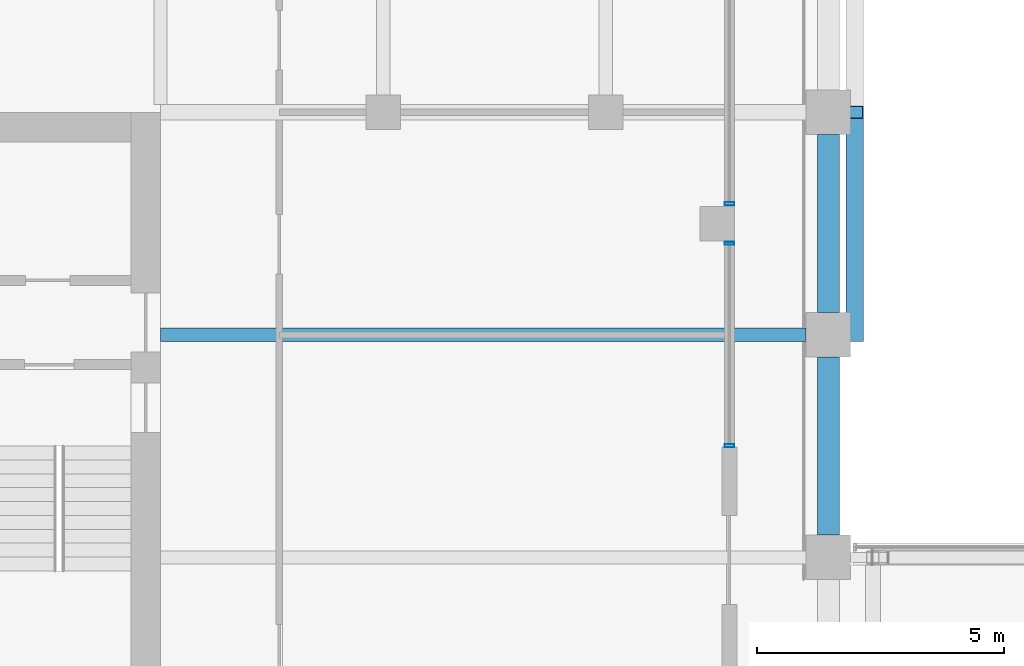
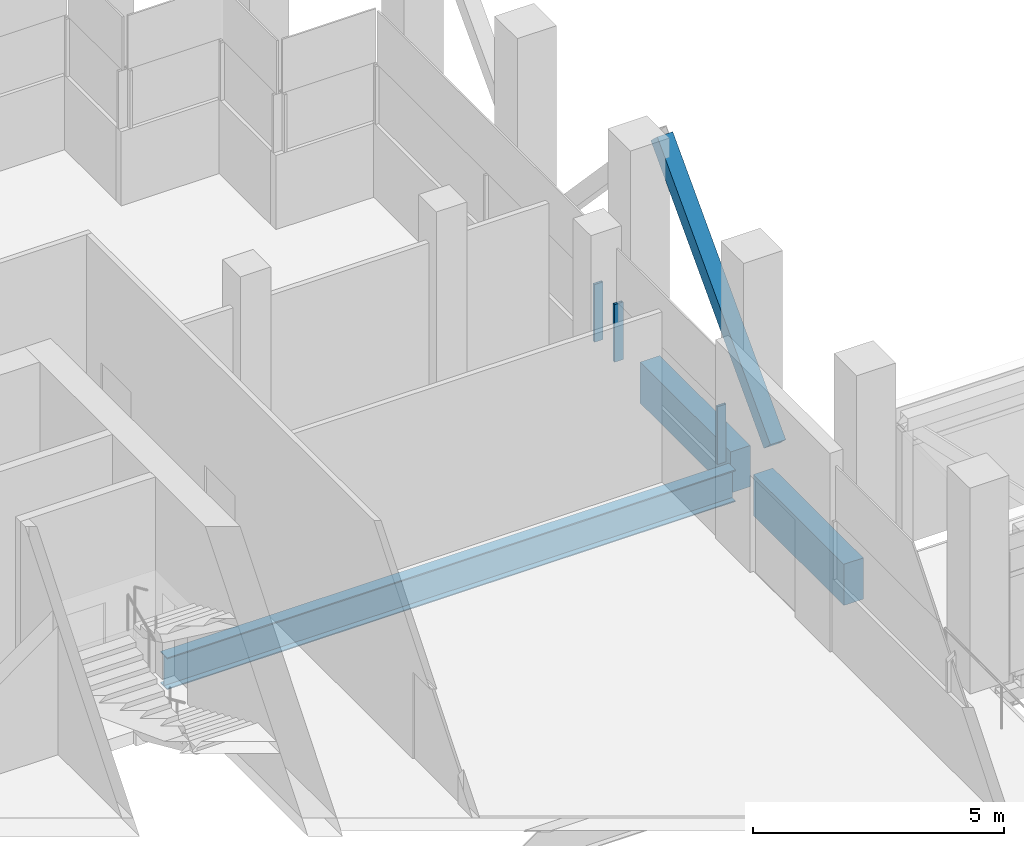
# One storey, part 12 of 34: 4 members, 3 beams, 2 elements without a shape of their own.
"""IFC4 building model written with IfcOpenShell, lengths in metres."""

from ifc_helpers import new_model, si_unit, direction, frame, origin, origin_2d, place, context, subcontext, project, spatial, rectangle, hollow_rectangle, i_section, extrude, material, material_profile, profile_set, type_object, element, aggregate, save


model = new_model("IFC4")

# Units and contexts
model_context = context("Model", 3, precision=1e-05, world=origin(), true_north=direction((0.0, 1.0)))
body_context = subcontext(model_context, "Body", "Model", "MODEL_VIEW")
ifc_project = project(units=[si_unit("LENGTHUNIT", "METRE"), si_unit("AREAUNIT", "SQUARE_METRE"), si_unit("VOLUMEUNIT", "CUBIC_METRE"), si_unit("PLANEANGLEUNIT", "RADIAN"), si_unit("MASSUNIT", "GRAM", prefix="KILO")], contexts=[model_context])

# Site, building, storey
site_placement = place(None, origin())
site = spatial("IfcSite", under=ifc_project, at=site_placement, CompositionType="ELEMENT")
building_placement = place(site_placement, origin())
building = spatial("IfcBuilding", under=site, at=building_placement, Name="Altepetl Exchange Towers", CompositionType="ELEMENT")
storey_placement = place(building_placement, frame((0.0, 0.0, 190.60009765625)))
storey = spatial("IfcBuildingStorey", under=building, at=storey_placement, Name="L48 Refuge", CompositionType="ELEMENT", Elevation=190.60009765625)

# Member
ifc_material_1 = material(Name="Steel S355", Category="steel")
ifc_material_profile_1 = material_profile(ifc_material_1, hollow_rectangle(XDim=0.35595703125, YDim=0.35595703125, WallThickness=0.014892578125, at=origin_2d()), Name="HSS356X356X15.9")
ifc_profile_set_1 = profile_set([ifc_material_profile_1], Name="Steel S355")
member_type_1 = type_object("IfcMemberType", Name="Belt diagonal HSS356X356X15.9", PredefinedType="BRACE", material=ifc_profile_set_1)
member_1_placement = place(storey_placement, frame((72.530029296875, 54.0, 0.0), z_axis=(0.0, 0.687744647911, 0.725952683906), x_axis=(-1.0, 0.0, 0.0)))
element("IfcMember", 1, at=member_1_placement, inside=storey, type_object=member_type_1, Name="brc:A:L48:010", PredefinedType="BRACE", context=body_context, shape_type="SweptSolid", body=[
    extrude(hollow_rectangle(XDim=0.35595703125, YDim=0.35595703125, WallThickness=0.014892578125, at=origin_2d()), origin(), (0.0, 0.0, 1.0), 6.543212890625),
])

# Beam
ifc_material_profile_2 = material_profile(ifc_material_1, i_section(OverallWidth=0.26806640625, OverallDepth=0.77392578125, WebThickness=0.015380859375, FlangeThickness=0.025390625, at=origin_2d()), Name="W30X132")
ifc_profile_set_2 = profile_set([ifc_material_profile_2], Name="Steel S355")
beam_type_1 = type_object("IfcBeamType", Name="Floor beam W30X132", PredefinedType="BEAM", material=ifc_profile_set_2)
beam_placement = place(storey_placement, frame((58.5, 54.0, -0.587158203125), z_axis=(1.0, 0.0, 0.0), x_axis=(0.0, 1.0, 0.0)))
element("IfcBeam", 2, at=beam_placement, inside=storey, type_object=beam_type_1, Name="bm:A:L48:011", PredefinedType="BEAM", context=body_context, shape_type="SweptSolid", body=[
    extrude(i_section(OverallWidth=0.26806640625, OverallDepth=0.77392578125, WebThickness=0.015380859375, FlangeThickness=0.025390625, at=origin_2d()), origin(), (0.0, 0.0, 1.0), 13.050048828125),
])

# Curtain wall, members
ifc_material_2 = material(Name="Aluminium 6063-T6 glazing", Category="aluminium")
curtain_wall_type = type_object("IfcCurtainWallType", Name="Refuge slit glazing system", PredefinedType="NOTDEFINED", material=ifc_material_2)
curtain_wall_1_placement = place(storey_placement, origin())
curtain_wall_1 = element("IfcCurtainWall", 3, at=curtain_wall_1_placement, inside=storey, type_object=curtain_wall_type, Name="CW3 run", PredefinedType="NOTDEFINED")
ifc_material_3 = material(Name="Aluminium 6063-T6", Category="aluminium")
ifc_material_profile_3 = material_profile(ifc_material_3, hollow_rectangle(XDim=0.06005859375, YDim=0.199951171875, WallThickness=0.0029296875, at=origin_2d()), Name="Mullion 60x200 aluminium")
ifc_profile_set_3 = profile_set([ifc_material_profile_3], Name="Aluminium 6063-T6")
member_type_2 = type_object("IfcMemberType", Name="Mullion 60x200 aluminium", PredefinedType="MULLION", material=ifc_profile_set_3)
member_2_placement = place(storey_placement, frame((70.0, 51.758544921875, 1.7998046875), z_axis=(0.0, 0.0, 1.0), x_axis=(0.0, 1.0, 0.0)))
member_2 = element("IfcMember", 4, at=member_2_placement, type_object=member_type_2, Name="MU2 mullion", PredefinedType="MULLION", context=body_context, shape_type="SweptSolid", body=[
    extrude(hollow_rectangle(XDim=0.06005859375, YDim=0.199951171875, WallThickness=0.0029296875, at=origin_2d()), origin(), (0.0, 0.0, 1.0), 1.400146484375),
])
member_3_placement = place(storey_placement, frame((70.0, 55.85009765625, 1.7998046875), z_axis=(0.0, 0.0, 1.0), x_axis=(0.0, 1.0, 0.0)))
member_3 = element("IfcMember", 5, at=member_3_placement, type_object=member_type_2, Name="MU2 mullion", PredefinedType="MULLION", context=body_context, shape_type="SweptSolid", body=[
    extrude(hollow_rectangle(XDim=0.06005859375, YDim=0.199951171875, WallThickness=0.0029296875, at=origin_2d()), origin(), (0.0, 0.0, 1.0), 1.400146484375),
])
aggregate(curtain_wall_1, [member_2, member_3])

# Curtain wall, member
curtain_wall_2_placement = place(storey_placement, origin())
curtain_wall_2 = element("IfcCurtainWall", 6, at=curtain_wall_2_placement, inside=storey, type_object=curtain_wall_type, Name="CW3 run", PredefinedType="NOTDEFINED")
member_4_placement = place(storey_placement, frame((70.0, 56.64990234375, 1.7998046875), z_axis=(0.0, 0.0, 1.0), x_axis=(0.0, 1.0, 0.0)))
member_4 = element("IfcMember", 7, at=member_4_placement, type_object=member_type_2, Name="MU2 mullion", PredefinedType="MULLION", context=body_context, shape_type="SweptSolid", body=[
    extrude(hollow_rectangle(XDim=0.06005859375, YDim=0.199951171875, WallThickness=0.0029296875, at=origin_2d()), origin(), (0.0, 0.0, 1.0), 1.400146484375),
])
aggregate(curtain_wall_2, [member_4])

# Beams
ifc_material_4 = material(Name="Concrete C50/60 precast with cantera amarilla facing", Category="concrete")
ifc_material_profile_4 = material_profile(ifc_material_4, rectangle(XDim=0.449951171875, YDim=1.0, at=origin_2d()), Name="450 x 1000")
ifc_profile_set_4 = profile_set([ifc_material_profile_4], Name="Concrete C50/60 precast with cantera amarilla facing")
beam_type_2 = type_object("IfcBeamType", Name="Spandrel beam 450x1000 cantera amarilla", PredefinedType="SPANDREL", material=ifc_profile_set_4)
for number, where, z_axis, x_axis, name in (
    (8, (72.0, 49.949951171875, -0.7001953125), (0.0, 1.0, 0.0), (-1.0, 0.0, 0.0), "sp:A:L48:016"),
    (9, (72.0, 54.449951171875, -0.7001953125), (0.0, 1.0, 0.0), (-1.0, 0.0, 0.0), "sp:A:L48:017"),
):
    element("IfcBeam", number, at=place(storey_placement, frame(where, z_axis=z_axis, x_axis=x_axis)), inside=storey, type_object=beam_type_2, Name=name, PredefinedType="SPANDREL", context=body_context, shape_type="SweptSolid", body=[
        extrude(rectangle(XDim=0.449951171875, YDim=1.0, at=origin_2d()), origin(), (0.0, 0.0, 1.0), 3.60009765625),
    ])

save(model, "model.ifc")
